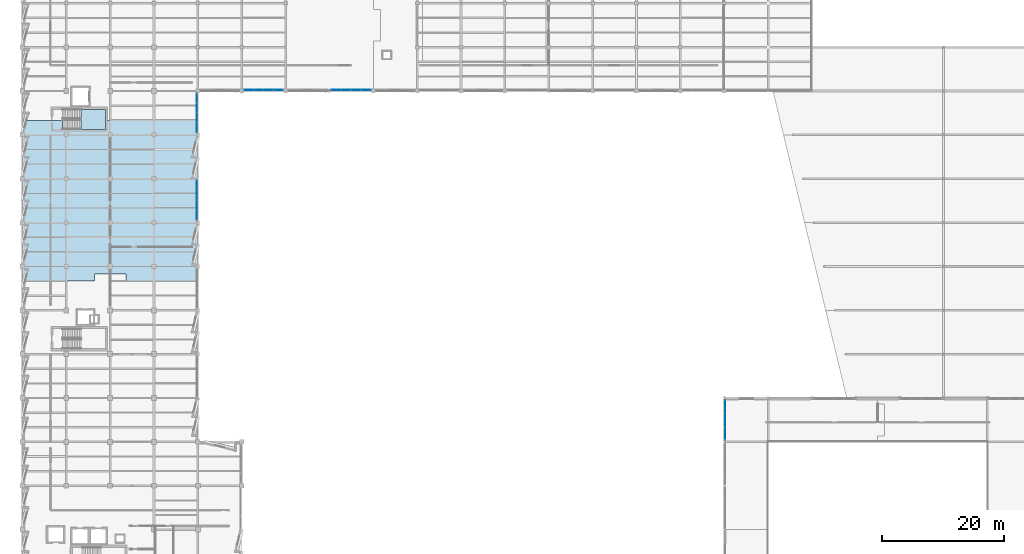
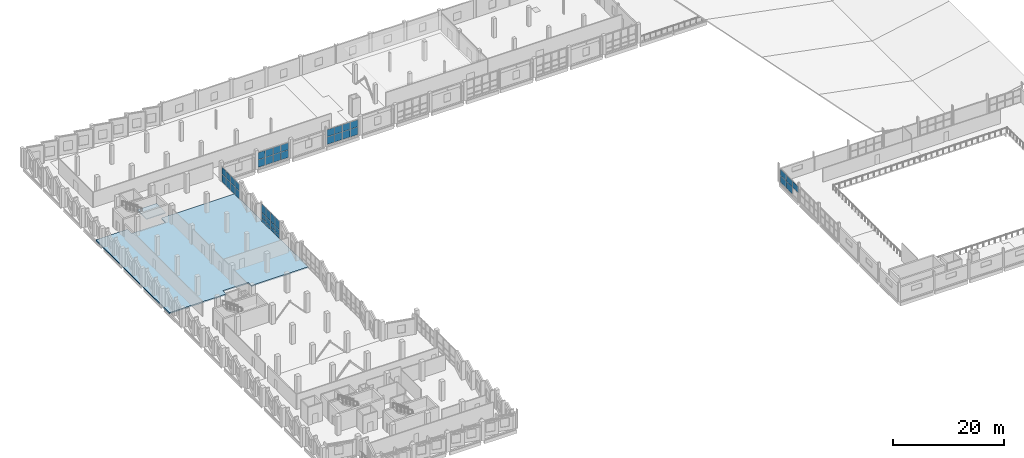
# One storey, part 60 of 94: 41 plates, 2 slabs, 6 elements without a shape of their own.
"""IFC4 building model written with IfcOpenShell, lengths in metres."""

from ifc_helpers import new_model, si_unit, direction, frame, origin, origin_2d, place, context, subcontext, project, spatial, polyline, rectangle, outline, extrude, material, layer, layer_set, type_object, element, aggregate, save


model = new_model("IFC4")

# Units and contexts
model_context = context("Model", 3, precision=1e-05, world=origin(), true_north=direction((0.0, 1.0)))
body_context = subcontext(model_context, "Body", "Model", "MODEL_VIEW")
ifc_project = project(units=[si_unit("LENGTHUNIT", "METRE"), si_unit("AREAUNIT", "SQUARE_METRE"), si_unit("VOLUMEUNIT", "CUBIC_METRE"), si_unit("PLANEANGLEUNIT", "RADIAN"), si_unit("MASSUNIT", "GRAM", prefix="KILO")], contexts=[model_context])

# Site, building, storey
site_placement = place(None, origin())
site = spatial("IfcSite", under=ifc_project, at=site_placement, CompositionType="ELEMENT")
building_placement = place(site_placement, origin())
building = spatial("IfcBuilding", under=site, at=building_placement, Name="Kalmorath City Hall", CompositionType="ELEMENT")
storey_placement = place(building_placement, frame((0.0, 0.0, 14.699951171875)))
storey = spatial("IfcBuildingStorey", under=building, at=storey_placement, Name="L03", CompositionType="ELEMENT", Elevation=14.699951171875)

# Curtain wall, plates
ifc_material_1 = material(Name="Anodised aluminium and laminated glass", Category="aluminium")
curtain_wall_type_1 = type_object("IfcCurtainWallType", Name="Unitised hurricane curtain wall 6544x3352 M1750", PredefinedType="NOTDEFINED", material=ifc_material_1)
curtain_wall_1_placement = place(storey_placement, origin())
curtain_wall_1 = element("IfcCurtainWall", 1, at=curtain_wall_1_placement, inside=storey, type_object=curtain_wall_type_1, Name="L03 curtain wall CW-65X34M18 #149", PredefinedType="NOTDEFINED")
ifc_material_2 = material(Name="Hurricane laminated low-E glass", Category="glass")
ifc_layer_1 = layer(ifc_material_2, 0.02392578125)
ifc_layer_set_1 = layer_set([ifc_layer_1], Name="Hurricane laminated low-E glass")
plate_type_1 = type_object("IfcPlateType", Name="Clerestory diffused glazed panel 24", PredefinedType="CURTAIN_PANEL", material=ifc_layer_set_1)
plate_1_placement = place(storey_placement, frame((56.375732421875, 93.760009765625, 0.06005859375), z_axis=(0.0, 0.0, 1.0), x_axis=(-1.0, 0.0, 0.0)))
plate_1 = element("IfcPlate", 2, at=plate_1_placement, type_object=plate_type_1, Name="CW-65X34M18 panel 1.1", PredefinedType="CURTAIN_PANEL", context=body_context, shape_type="SweptSolid", body=[
    extrude(rectangle(XDim=1.538330078125, YDim=0.02392578125, at=origin_2d()), origin(), (0.0, 0.0, 1.0), 1.653076171875),
])
plate_2_placement = place(storey_placement, frame((56.375732421875, 93.760009765625, 1.77294921875), z_axis=(0.0, 0.0, 1.0), x_axis=(-1.0, 0.0, 0.0)))
plate_2 = element("IfcPlate", 3, at=plate_2_placement, type_object=plate_type_1, Name="CW-65X34M18 panel 1.2", PredefinedType="CURTAIN_PANEL", context=body_context, shape_type="SweptSolid", body=[
    extrude(rectangle(XDim=1.538330078125, YDim=0.02392578125, at=origin_2d()), origin(), (0.0, 0.0, 1.0), 1.51904296875),
])
plate_3_placement = place(storey_placement, frame((54.756103515625, 93.760009765625, 0.06005859375), z_axis=(0.0, 0.0, 1.0), x_axis=(-1.0, 0.0, 0.0)))
plate_3 = element("IfcPlate", 4, at=plate_3_placement, type_object=plate_type_1, Name="CW-65X34M18 panel 2.1", PredefinedType="CURTAIN_PANEL", context=body_context, shape_type="SweptSolid", body=[
    extrude(rectangle(XDim=1.57080078125, YDim=0.02392578125, at=origin_2d()), origin(), (0.0, 0.0, 1.0), 1.653076171875),
])
plate_4_placement = place(storey_placement, frame((54.756103515625, 93.760009765625, 1.77294921875), z_axis=(0.0, 0.0, 1.0), x_axis=(-1.0, 0.0, 0.0)))
plate_4 = element("IfcPlate", 5, at=plate_4_placement, type_object=plate_type_1, Name="CW-65X34M18 panel 2.2", PredefinedType="CURTAIN_PANEL", context=body_context, shape_type="SweptSolid", body=[
    extrude(rectangle(XDim=1.57080078125, YDim=0.02392578125, at=origin_2d()), origin(), (0.0, 0.0, 1.0), 1.51904296875),
])
plate_5_placement = place(storey_placement, frame((53.120361328125, 93.760009765625, 0.06005859375), z_axis=(0.0, 0.0, 1.0), x_axis=(-1.0, 0.0, 0.0)))
plate_5 = element("IfcPlate", 6, at=plate_5_placement, type_object=plate_type_1, Name="CW-65X34M18 panel 3.1", PredefinedType="CURTAIN_PANEL", context=body_context, shape_type="SweptSolid", body=[
    extrude(rectangle(XDim=1.57080078125, YDim=0.02392578125, at=origin_2d()), origin(), (0.0, 0.0, 1.0), 1.653076171875),
])
plate_6_placement = place(storey_placement, frame((53.120361328125, 93.760009765625, 1.77294921875), z_axis=(0.0, 0.0, 1.0), x_axis=(-1.0, 0.0, 0.0)))
plate_6 = element("IfcPlate", 7, at=plate_6_placement, type_object=plate_type_1, Name="CW-65X34M18 panel 3.2", PredefinedType="CURTAIN_PANEL", context=body_context, shape_type="SweptSolid", body=[
    extrude(rectangle(XDim=1.57080078125, YDim=0.02392578125, at=origin_2d()), origin(), (0.0, 0.0, 1.0), 1.51904296875),
])
plate_7_placement = place(storey_placement, frame((51.500732421875, 93.760009765625, 0.06005859375), z_axis=(0.0, 0.0, 1.0), x_axis=(-1.0, 0.0, 0.0)))
plate_7 = element("IfcPlate", 8, at=plate_7_placement, type_object=plate_type_1, Name="CW-65X34M18 panel 4.1", PredefinedType="CURTAIN_PANEL", context=body_context, shape_type="SweptSolid", body=[
    extrude(rectangle(XDim=1.538330078125, YDim=0.02392578125, at=origin_2d()), origin(), (0.0, 0.0, 1.0), 1.653076171875),
])
plate_8_placement = place(storey_placement, frame((51.500732421875, 93.760009765625, 1.77294921875), z_axis=(0.0, 0.0, 1.0), x_axis=(-1.0, 0.0, 0.0)))
plate_8 = element("IfcPlate", 9, at=plate_8_placement, type_object=plate_type_1, Name="CW-65X34M18 panel 4.2", PredefinedType="CURTAIN_PANEL", context=body_context, shape_type="SweptSolid", body=[
    extrude(rectangle(XDim=1.538330078125, YDim=0.02392578125, at=origin_2d()), origin(), (0.0, 0.0, 1.0), 1.51904296875),
])
aggregate(curtain_wall_1, [plate_1, plate_2, plate_3, plate_4, plate_5, plate_6, plate_7, plate_8])

ifc_material_3 = material(Name="Anodised aluminium and laminated glass", Category="aluminium")
curtain_wall_type_2 = type_object("IfcCurtainWallType", Name="Unitised hurricane curtain wall 6420x3352 M1750", PredefinedType="NOTDEFINED", material=ifc_material_3)
curtain_wall_2_placement = place(storey_placement, origin())
curtain_wall_2 = element("IfcCurtainWall", 10, at=curtain_wall_2_placement, inside=storey, type_object=curtain_wall_type_2, Name="L03 curtain wall CW-64X34M18 #150", PredefinedType="NOTDEFINED")
plate_9_placement = place(storey_placement, frame((41.9912109375, 93.760009765625, 0.06005859375), z_axis=(0.0, 0.0, 1.0), x_axis=(-1.0, 0.0, 0.0)))
plate_9 = element("IfcPlate", 11, at=plate_9_placement, type_object=plate_type_1, Name="CW-64X34M18 panel 1.1", PredefinedType="CURTAIN_PANEL", context=body_context, shape_type="SweptSolid", body=[
    extrude(rectangle(XDim=1.507568359375, YDim=0.02392578125, at=origin_2d()), origin(), (0.0, 0.0, 1.0), 1.653076171875),
])
plate_10_placement = place(storey_placement, frame((41.9912109375, 93.760009765625, 1.77294921875), z_axis=(0.0, 0.0, 1.0), x_axis=(-1.0, 0.0, 0.0)))
plate_10 = element("IfcPlate", 12, at=plate_10_placement, type_object=plate_type_1, Name="CW-64X34M18 panel 1.2", PredefinedType="CURTAIN_PANEL", context=body_context, shape_type="SweptSolid", body=[
    extrude(rectangle(XDim=1.507568359375, YDim=0.02392578125, at=origin_2d()), origin(), (0.0, 0.0, 1.0), 1.51904296875),
])
plate_11_placement = place(storey_placement, frame((40.402587890625, 93.760009765625, 0.06005859375), z_axis=(0.0, 0.0, 1.0), x_axis=(-1.0, 0.0, 0.0)))
plate_11 = element("IfcPlate", 13, at=plate_11_placement, type_object=plate_type_1, Name="CW-64X34M18 panel 2.1", PredefinedType="CURTAIN_PANEL", context=body_context, shape_type="SweptSolid", body=[
    extrude(rectangle(XDim=1.5400390625, YDim=0.02392578125, at=origin_2d()), origin(), (0.0, 0.0, 1.0), 1.653076171875),
])
plate_12_placement = place(storey_placement, frame((40.402587890625, 93.760009765625, 1.77294921875), z_axis=(0.0, 0.0, 1.0), x_axis=(-1.0, 0.0, 0.0)))
plate_12 = element("IfcPlate", 14, at=plate_12_placement, type_object=plate_type_1, Name="CW-64X34M18 panel 2.2", PredefinedType="CURTAIN_PANEL", context=body_context, shape_type="SweptSolid", body=[
    extrude(rectangle(XDim=1.5400390625, YDim=0.02392578125, at=origin_2d()), origin(), (0.0, 0.0, 1.0), 1.51904296875),
])
plate_13_placement = place(storey_placement, frame((38.797607421875, 93.760009765625, 0.06005859375), z_axis=(0.0, 0.0, 1.0), x_axis=(-1.0, 0.0, 0.0)))
plate_13 = element("IfcPlate", 15, at=plate_13_placement, type_object=plate_type_1, Name="CW-64X34M18 panel 3.1", PredefinedType="CURTAIN_PANEL", context=body_context, shape_type="SweptSolid", body=[
    extrude(rectangle(XDim=1.5400390625, YDim=0.02392578125, at=origin_2d()), origin(), (0.0, 0.0, 1.0), 1.653076171875),
])
plate_14_placement = place(storey_placement, frame((38.797607421875, 93.760009765625, 1.77294921875), z_axis=(0.0, 0.0, 1.0), x_axis=(-1.0, 0.0, 0.0)))
plate_14 = element("IfcPlate", 16, at=plate_14_placement, type_object=plate_type_1, Name="CW-64X34M18 panel 3.2", PredefinedType="CURTAIN_PANEL", context=body_context, shape_type="SweptSolid", body=[
    extrude(rectangle(XDim=1.5400390625, YDim=0.02392578125, at=origin_2d()), origin(), (0.0, 0.0, 1.0), 1.51904296875),
])
plate_15_placement = place(storey_placement, frame((37.208740234375, 93.760009765625, 0.06005859375), z_axis=(0.0, 0.0, 1.0), x_axis=(-1.0, 0.0, 0.0)))
plate_15 = element("IfcPlate", 17, at=plate_15_placement, type_object=plate_type_1, Name="CW-64X34M18 panel 4.1", PredefinedType="CURTAIN_PANEL", context=body_context, shape_type="SweptSolid", body=[
    extrude(rectangle(XDim=1.507568359375, YDim=0.02392578125, at=origin_2d()), origin(), (0.0, 0.0, 1.0), 1.653076171875),
])
plate_16_placement = place(storey_placement, frame((37.208740234375, 93.760009765625, 1.77294921875), z_axis=(0.0, 0.0, 1.0), x_axis=(-1.0, 0.0, 0.0)))
plate_16 = element("IfcPlate", 18, at=plate_16_placement, type_object=plate_type_1, Name="CW-64X34M18 panel 4.2", PredefinedType="CURTAIN_PANEL", context=body_context, shape_type="SweptSolid", body=[
    extrude(rectangle(XDim=1.507568359375, YDim=0.02392578125, at=origin_2d()), origin(), (0.0, 0.0, 1.0), 1.51904296875),
])
aggregate(curtain_wall_2, [plate_9, plate_10, plate_11, plate_12, plate_13, plate_14, plate_15, plate_16])

ifc_material_4 = material(Name="Anodised aluminium and laminated glass", Category="aluminium")
curtain_wall_type_3 = type_object("IfcCurtainWallType", Name="Unitised hurricane curtain wall 6420x3352 M1600", PredefinedType="NOTDEFINED", material=ifc_material_4)
curtain_wall_3_placement = place(storey_placement, origin())
curtain_wall_3 = element("IfcCurtainWall", 19, at=curtain_wall_3_placement, inside=storey, type_object=curtain_wall_type_3, Name="L03 curtain wall CW-64X34M16 #151", PredefinedType="NOTDEFINED")
plate_17_placement = place(storey_placement, frame((28.639892578125, 92.391357421875, 0.06005859375), z_axis=(0.0, 0.0, 1.0), x_axis=(0.0, -1.0, 0.0)))
plate_17 = element("IfcPlate", 20, at=plate_17_placement, type_object=plate_type_1, Name="CW-64X34M16 panel 1.1", PredefinedType="CURTAIN_PANEL", context=body_context, shape_type="SweptSolid", body=[
    extrude(rectangle(XDim=1.507568359375, YDim=0.02392578125, at=origin_2d()), origin(), (0.0, 0.0, 1.0), 1.653076171875),
])
plate_18_placement = place(storey_placement, frame((28.639892578125, 92.391357421875, 1.77294921875), z_axis=(0.0, 0.0, 1.0), x_axis=(0.0, -1.0, 0.0)))
plate_18 = element("IfcPlate", 21, at=plate_18_placement, type_object=plate_type_1, Name="CW-64X34M16 panel 1.2", PredefinedType="CURTAIN_PANEL", context=body_context, shape_type="SweptSolid", body=[
    extrude(rectangle(XDim=1.507568359375, YDim=0.02392578125, at=origin_2d()), origin(), (0.0, 0.0, 1.0), 1.51904296875),
])
plate_19_placement = place(storey_placement, frame((28.639892578125, 90.802490234375, 0.06005859375), z_axis=(0.0, 0.0, 1.0), x_axis=(0.0, -1.0, 0.0)))
plate_19 = element("IfcPlate", 22, at=plate_19_placement, type_object=plate_type_1, Name="CW-64X34M16 panel 2.1", PredefinedType="CURTAIN_PANEL", context=body_context, shape_type="SweptSolid", body=[
    extrude(rectangle(XDim=1.5400390625, YDim=0.02392578125, at=origin_2d()), origin(), (0.0, 0.0, 1.0), 1.653076171875),
])
plate_20_placement = place(storey_placement, frame((28.639892578125, 90.802490234375, 1.77294921875), z_axis=(0.0, 0.0, 1.0), x_axis=(0.0, -1.0, 0.0)))
plate_20 = element("IfcPlate", 23, at=plate_20_placement, type_object=plate_type_1, Name="CW-64X34M16 panel 2.2", PredefinedType="CURTAIN_PANEL", context=body_context, shape_type="SweptSolid", body=[
    extrude(rectangle(XDim=1.5400390625, YDim=0.02392578125, at=origin_2d()), origin(), (0.0, 0.0, 1.0), 1.51904296875),
])
plate_21_placement = place(storey_placement, frame((28.639892578125, 89.197509765625, 0.06005859375), z_axis=(0.0, 0.0, 1.0), x_axis=(0.0, -1.0, 0.0)))
plate_21 = element("IfcPlate", 24, at=plate_21_placement, type_object=plate_type_1, Name="CW-64X34M16 panel 3.1", PredefinedType="CURTAIN_PANEL", context=body_context, shape_type="SweptSolid", body=[
    extrude(rectangle(XDim=1.5400390625, YDim=0.02392578125, at=origin_2d()), origin(), (0.0, 0.0, 1.0), 1.653076171875),
])
plate_22_placement = place(storey_placement, frame((28.639892578125, 89.197509765625, 1.77294921875), z_axis=(0.0, 0.0, 1.0), x_axis=(0.0, -1.0, 0.0)))
plate_22 = element("IfcPlate", 25, at=plate_22_placement, type_object=plate_type_1, Name="CW-64X34M16 panel 3.2", PredefinedType="CURTAIN_PANEL", context=body_context, shape_type="SweptSolid", body=[
    extrude(rectangle(XDim=1.5400390625, YDim=0.02392578125, at=origin_2d()), origin(), (0.0, 0.0, 1.0), 1.51904296875),
])
plate_23_placement = place(storey_placement, frame((28.639892578125, 87.608642578125, 0.06005859375), z_axis=(0.0, 0.0, 1.0), x_axis=(0.0, -1.0, 0.0)))
plate_23 = element("IfcPlate", 26, at=plate_23_placement, type_object=plate_type_1, Name="CW-64X34M16 panel 4.1", PredefinedType="CURTAIN_PANEL", context=body_context, shape_type="SweptSolid", body=[
    extrude(rectangle(XDim=1.507568359375, YDim=0.02392578125, at=origin_2d()), origin(), (0.0, 0.0, 1.0), 1.653076171875),
])
plate_24_placement = place(storey_placement, frame((28.639892578125, 87.608642578125, 1.77294921875), z_axis=(0.0, 0.0, 1.0), x_axis=(0.0, -1.0, 0.0)))
plate_24 = element("IfcPlate", 27, at=plate_24_placement, type_object=plate_type_1, Name="CW-64X34M16 panel 4.2", PredefinedType="CURTAIN_PANEL", context=body_context, shape_type="SweptSolid", body=[
    extrude(rectangle(XDim=1.507568359375, YDim=0.02392578125, at=origin_2d()), origin(), (0.0, 0.0, 1.0), 1.51904296875),
])
aggregate(curtain_wall_3, [plate_17, plate_18, plate_19, plate_20, plate_21, plate_22, plate_23, plate_24])

ifc_material_5 = material(Name="Anodised aluminium and laminated glass", Category="aluminium")
curtain_wall_type_4 = type_object("IfcCurtainWallType", Name="Unitised hurricane curtain wall 6544x3950 M1600", PredefinedType="NOTDEFINED", material=ifc_material_5)
curtain_wall_4_placement = place(storey_placement, origin())
curtain_wall_4 = element("IfcCurtainWall", 28, at=curtain_wall_4_placement, inside=storey, type_object=curtain_wall_type_4, Name="L03 curtain wall CW-65X40M16 #152", PredefinedType="NOTDEFINED")
plate_25_placement = place(storey_placement, frame((28.639892578125, 78.099365234375, 0.06005859375), z_axis=(0.0, 0.0, 1.0), x_axis=(0.0, -1.0, 0.0)))
plate_25 = element("IfcPlate", 29, at=plate_25_placement, type_object=plate_type_1, Name="CW-65X40M16 panel 1.1", PredefinedType="CURTAIN_PANEL", context=body_context, shape_type="SweptSolid", body=[
    extrude(rectangle(XDim=1.538330078125, YDim=0.02392578125, at=origin_2d()), origin(), (0.0, 0.0, 1.0), 0.760009765625),
])
plate_26_placement = place(storey_placement, frame((28.639892578125, 78.099365234375, 0.880126953125), z_axis=(0.0, 0.0, 1.0), x_axis=(0.0, -1.0, 0.0)))
plate_26 = element("IfcPlate", 30, at=plate_26_placement, type_object=plate_type_1, Name="CW-65X40M16 panel 1.2", PredefinedType="CURTAIN_PANEL", context=body_context, shape_type="SweptSolid", body=[
    extrude(rectangle(XDim=1.538330078125, YDim=0.02392578125, at=origin_2d()), origin(), (0.0, 0.0, 1.0), 1.14404296875),
])
plate_27_placement = place(storey_placement, frame((28.639892578125, 78.099365234375, 2.083984375), z_axis=(0.0, 0.0, 1.0), x_axis=(0.0, -1.0, 0.0)))
plate_27 = element("IfcPlate", 31, at=plate_27_placement, type_object=plate_type_1, Name="CW-65X40M16 panel 1.3", PredefinedType="CURTAIN_PANEL", context=body_context, shape_type="SweptSolid", body=[
    extrude(rectangle(XDim=1.538330078125, YDim=0.02392578125, at=origin_2d()), origin(), (0.0, 0.0, 1.0), 1.805908203125),
])
plate_28_placement = place(storey_placement, frame((28.639892578125, 76.479736328125, 0.06005859375), z_axis=(0.0, 0.0, 1.0), x_axis=(0.0, -1.0, 0.0)))
plate_28 = element("IfcPlate", 32, at=plate_28_placement, type_object=plate_type_1, Name="CW-65X40M16 panel 2.1", PredefinedType="CURTAIN_PANEL", context=body_context, shape_type="SweptSolid", body=[
    extrude(rectangle(XDim=1.57080078125, YDim=0.02392578125, at=origin_2d()), origin(), (0.0, 0.0, 1.0), 0.760009765625),
])
plate_29_placement = place(storey_placement, frame((28.639892578125, 76.479736328125, 0.880126953125), z_axis=(0.0, 0.0, 1.0), x_axis=(0.0, -1.0, 0.0)))
plate_29 = element("IfcPlate", 33, at=plate_29_placement, type_object=plate_type_1, Name="CW-65X40M16 panel 2.2", PredefinedType="CURTAIN_PANEL", context=body_context, shape_type="SweptSolid", body=[
    extrude(rectangle(XDim=1.57080078125, YDim=0.02392578125, at=origin_2d()), origin(), (0.0, 0.0, 1.0), 1.14404296875),
])
plate_30_placement = place(storey_placement, frame((28.639892578125, 76.479736328125, 2.083984375), z_axis=(0.0, 0.0, 1.0), x_axis=(0.0, -1.0, 0.0)))
plate_30 = element("IfcPlate", 34, at=plate_30_placement, type_object=plate_type_1, Name="CW-65X40M16 panel 2.3", PredefinedType="CURTAIN_PANEL", context=body_context, shape_type="SweptSolid", body=[
    extrude(rectangle(XDim=1.57080078125, YDim=0.02392578125, at=origin_2d()), origin(), (0.0, 0.0, 1.0), 1.805908203125),
])
plate_31_placement = place(storey_placement, frame((28.639892578125, 74.84375, 0.06005859375), z_axis=(0.0, 0.0, 1.0), x_axis=(0.0, -1.0, 0.0)))
plate_31 = element("IfcPlate", 35, at=plate_31_placement, type_object=plate_type_1, Name="CW-65X40M16 panel 3.1", PredefinedType="CURTAIN_PANEL", context=body_context, shape_type="SweptSolid", body=[
    extrude(rectangle(XDim=1.57080078125, YDim=0.02392578125, at=origin_2d()), origin(), (0.0, 0.0, 1.0), 0.760009765625),
])
plate_32_placement = place(storey_placement, frame((28.639892578125, 74.84375, 0.880126953125), z_axis=(0.0, 0.0, 1.0), x_axis=(0.0, -1.0, 0.0)))
plate_32 = element("IfcPlate", 36, at=plate_32_placement, type_object=plate_type_1, Name="CW-65X40M16 panel 3.2", PredefinedType="CURTAIN_PANEL", context=body_context, shape_type="SweptSolid", body=[
    extrude(rectangle(XDim=1.57080078125, YDim=0.02392578125, at=origin_2d()), origin(), (0.0, 0.0, 1.0), 1.14404296875),
])
plate_33_placement = place(storey_placement, frame((28.639892578125, 74.84375, 2.083984375), z_axis=(0.0, 0.0, 1.0), x_axis=(0.0, -1.0, 0.0)))
plate_33 = element("IfcPlate", 37, at=plate_33_placement, type_object=plate_type_1, Name="CW-65X40M16 panel 3.3", PredefinedType="CURTAIN_PANEL", context=body_context, shape_type="SweptSolid", body=[
    extrude(rectangle(XDim=1.57080078125, YDim=0.02392578125, at=origin_2d()), origin(), (0.0, 0.0, 1.0), 1.805908203125),
])
plate_34_placement = place(storey_placement, frame((28.639892578125, 73.22412109375, 0.06005859375), z_axis=(0.0, 0.0, 1.0), x_axis=(0.0, -1.0, 0.0)))
plate_34 = element("IfcPlate", 38, at=plate_34_placement, type_object=plate_type_1, Name="CW-65X40M16 panel 4.1", PredefinedType="CURTAIN_PANEL", context=body_context, shape_type="SweptSolid", body=[
    extrude(rectangle(XDim=1.538330078125, YDim=0.02392578125, at=origin_2d()), origin(), (0.0, 0.0, 1.0), 0.760009765625),
])
plate_35_placement = place(storey_placement, frame((28.639892578125, 73.22412109375, 0.880126953125), z_axis=(0.0, 0.0, 1.0), x_axis=(0.0, -1.0, 0.0)))
plate_35 = element("IfcPlate", 39, at=plate_35_placement, type_object=plate_type_1, Name="CW-65X40M16 panel 4.2", PredefinedType="CURTAIN_PANEL", context=body_context, shape_type="SweptSolid", body=[
    extrude(rectangle(XDim=1.538330078125, YDim=0.02392578125, at=origin_2d()), origin(), (0.0, 0.0, 1.0), 1.14404296875),
])
plate_36_placement = place(storey_placement, frame((28.639892578125, 73.22412109375, 2.083984375), z_axis=(0.0, 0.0, 1.0), x_axis=(0.0, -1.0, 0.0)))
plate_36 = element("IfcPlate", 40, at=plate_36_placement, type_object=plate_type_1, Name="CW-65X40M16 panel 4.3", PredefinedType="CURTAIN_PANEL", context=body_context, shape_type="SweptSolid", body=[
    extrude(rectangle(XDim=1.538330078125, YDim=0.02392578125, at=origin_2d()), origin(), (0.0, 0.0, 1.0), 1.805908203125),
])
aggregate(curtain_wall_4, [plate_25, plate_26, plate_27, plate_28, plate_29, plate_30, plate_31, plate_32, plate_33, plate_34, plate_35, plate_36])

# Stair, slab
ifc_material_6 = material(Name="Concrete C40/50", Category="concrete")
stair_type = type_object("IfcStairType", Name="Dogleg concrete exit stair 24R x 175mm W1550", PredefinedType="HALF_TURN_STAIR", material=ifc_material_6)
stair_placement = place(storey_placement, origin())
stair = element("IfcStair", 41, at=stair_placement, inside=storey, type_object=stair_type, Name="L03 Protected exit stair ST-4", PredefinedType="HALF_TURN_STAIR")
ifc_material_7 = material(Name="Concrete C40/50", Category="concrete")
ifc_layer_2 = layer(ifc_material_7, 0.199951171875)
ifc_layer_set_2 = layer_set([ifc_layer_2], Name="Concrete C40/50")
slab_type_1 = type_object("IfcSlabType", Name="Concrete stair half-landing slab 200", PredefinedType="LANDING", material=ifc_layer_set_2)
slab_1_placement = place(storey_placement, frame((0.0, 0.0, 1.900146484375)))
slab_1 = element("IfcSlab", 42, at=slab_1_placement, type_object=slab_type_1, Name="ST-4 landing 1", PredefinedType="LANDING", context=body_context, shape_type="SweptSolid", body=[
    extrude(outline(polyline([(9.6298828125, 87.300048828125), (13.60009765625, 87.300048828125), (13.60009765625, 90.60009765625), (9.6298828125, 90.60009765625), (9.6298828125, 87.300048828125)])), origin(), (0.0, 0.0, 1.0), 0.199951171875),
])
aggregate(stair, [slab_1])

# Slab
ifc_material_8 = material(Name="Concrete C40/50", Category="concrete")
ifc_layer_3 = layer(ifc_material_8, 0.260009765625)
ifc_layer_set_3 = layer_set([ifc_layer_3], Name="Concrete C40/50")
slab_type_2 = type_object("IfcSlabType", Name="Concrete upper floor slab 260", PredefinedType="FLOOR", material=ifc_layer_set_3)
slab_2_placement = place(storey_placement, frame((0.0, 0.0, -0.260009765625)))
element("IfcSlab", 43, at=slab_2_placement, inside=storey, type_object=slab_type_2, Name="L03 West Sawtooth Wing and Civic Storm Arcade slab FS4-2", PredefinedType="FLOOR", context=body_context, shape_type="SweptSolid", body=[
    extrude(outline(polyline([(17.0, 62.39990234375), (17.0, 63.550048828125), (11.800048828125, 63.550048828125), (11.800048828125, 62.39990234375), (0.0, 62.39990234375), (0.0, 88.800048828125), (6.590087890625, 88.800048828125), (6.590087890625, 87.300048828125), (13.60009765625, 87.300048828125), (13.60009765625, 88.800048828125), (28.800048828125, 88.800048828125), (28.800048828125, 62.39990234375), (17.0, 62.39990234375)])), origin(), (0.0, 0.0, 1.0), 0.260009765625),
])

# Curtain wall, plates
ifc_material_9 = material(Name="Anodised aluminium and laminated glass", Category="aluminium")
curtain_wall_type_5 = type_object("IfcCurtainWallType", Name="Unitised hurricane curtain wall 6651x3018 M2100", PredefinedType="NOTDEFINED", material=ifc_material_9)
curtain_wall_5_placement = place(storey_placement, origin())
curtain_wall_5 = element("IfcCurtainWall", 44, at=curtain_wall_5_placement, inside=storey, type_object=curtain_wall_type_5, Name="L03 curtain wall CW-67X30M21 #159", PredefinedType="NOTDEFINED")
ifc_material_10 = material(Name="Hurricane laminated low-E glass", Category="glass")
ifc_layer_4 = layer(ifc_material_10, 0.031982421875)
ifc_layer_set_4 = layer_set([ifc_layer_4], Name="Hurricane laminated low-E glass")
plate_type_2 = type_object("IfcPlateType", Name="Hurricane impact double-glazed panel 32", PredefinedType="CURTAIN_PANEL", material=ifc_layer_set_4)
plate_37_placement = place(storey_placement, frame((115.360107421875, 37.40185546875, 1.6015625), z_axis=(0.0, 0.0, 1.0), x_axis=(0.0, 1.0, 0.0)))
plate_37 = element("IfcPlate", 45, at=plate_37_placement, type_object=plate_type_2, Name="CW-67X30M21 panel 1.2", PredefinedType="CURTAIN_PANEL", context=body_context, shape_type="SweptSolid", body=[
    extrude(rectangle(XDim=2.1044921875, YDim=0.031982421875, at=origin_2d()), origin(), (0.0, 0.0, 1.0), 1.3515625),
])
plate_38_placement = place(storey_placement, frame((115.360107421875, 39.60009765625, 0.06494140625), z_axis=(0.0, 0.0, 1.0), x_axis=(0.0, 1.0, 0.0)))
plate_38 = element("IfcPlate", 46, at=plate_38_placement, type_object=plate_type_2, Name="CW-67X30M21 panel 2.1", PredefinedType="CURTAIN_PANEL", context=body_context, shape_type="SweptSolid", body=[
    extrude(rectangle(XDim=2.14208984375, YDim=0.031982421875, at=origin_2d()), origin(), (0.0, 0.0, 1.0), 1.471435546875),
])
plate_39_placement = place(storey_placement, frame((115.360107421875, 39.60009765625, 1.6015625), z_axis=(0.0, 0.0, 1.0), x_axis=(0.0, 1.0, 0.0)))
plate_39 = element("IfcPlate", 47, at=plate_39_placement, type_object=plate_type_2, Name="CW-67X30M21 panel 2.2", PredefinedType="CURTAIN_PANEL", context=body_context, shape_type="SweptSolid", body=[
    extrude(rectangle(XDim=2.14208984375, YDim=0.031982421875, at=origin_2d()), origin(), (0.0, 0.0, 1.0), 1.3515625),
])
plate_40_placement = place(storey_placement, frame((115.360107421875, 41.79833984375, 0.06494140625), z_axis=(0.0, 0.0, 1.0), x_axis=(0.0, 1.0, 0.0)))
plate_40 = element("IfcPlate", 48, at=plate_40_placement, type_object=plate_type_2, Name="CW-67X30M21 panel 3.1", PredefinedType="CURTAIN_PANEL", context=body_context, shape_type="SweptSolid", body=[
    extrude(rectangle(XDim=2.1044921875, YDim=0.031982421875, at=origin_2d()), origin(), (0.0, 0.0, 1.0), 1.471435546875),
])
plate_41_placement = place(storey_placement, frame((115.360107421875, 41.79833984375, 1.6015625), z_axis=(0.0, 0.0, 1.0), x_axis=(0.0, 1.0, 0.0)))
plate_41 = element("IfcPlate", 49, at=plate_41_placement, type_object=plate_type_2, Name="CW-67X30M21 panel 3.2", PredefinedType="CURTAIN_PANEL", context=body_context, shape_type="SweptSolid", body=[
    extrude(rectangle(XDim=2.1044921875, YDim=0.031982421875, at=origin_2d()), origin(), (0.0, 0.0, 1.0), 1.3515625),
])
aggregate(curtain_wall_5, [plate_37, plate_38, plate_39, plate_40, plate_41])

save(model, "model.ifc")
